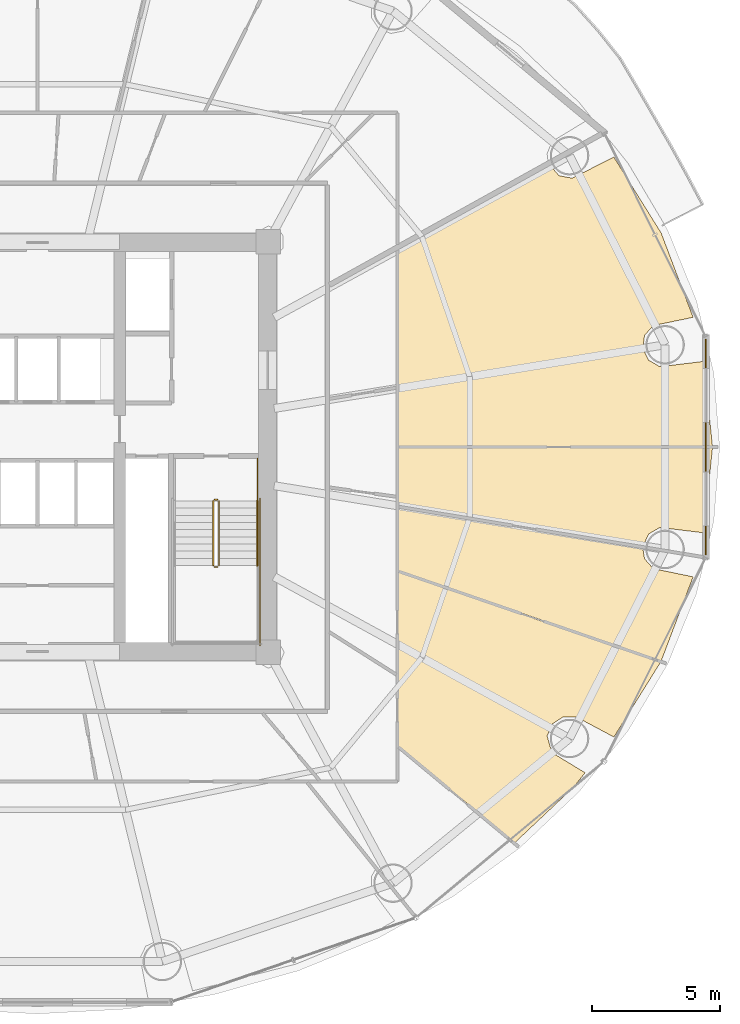
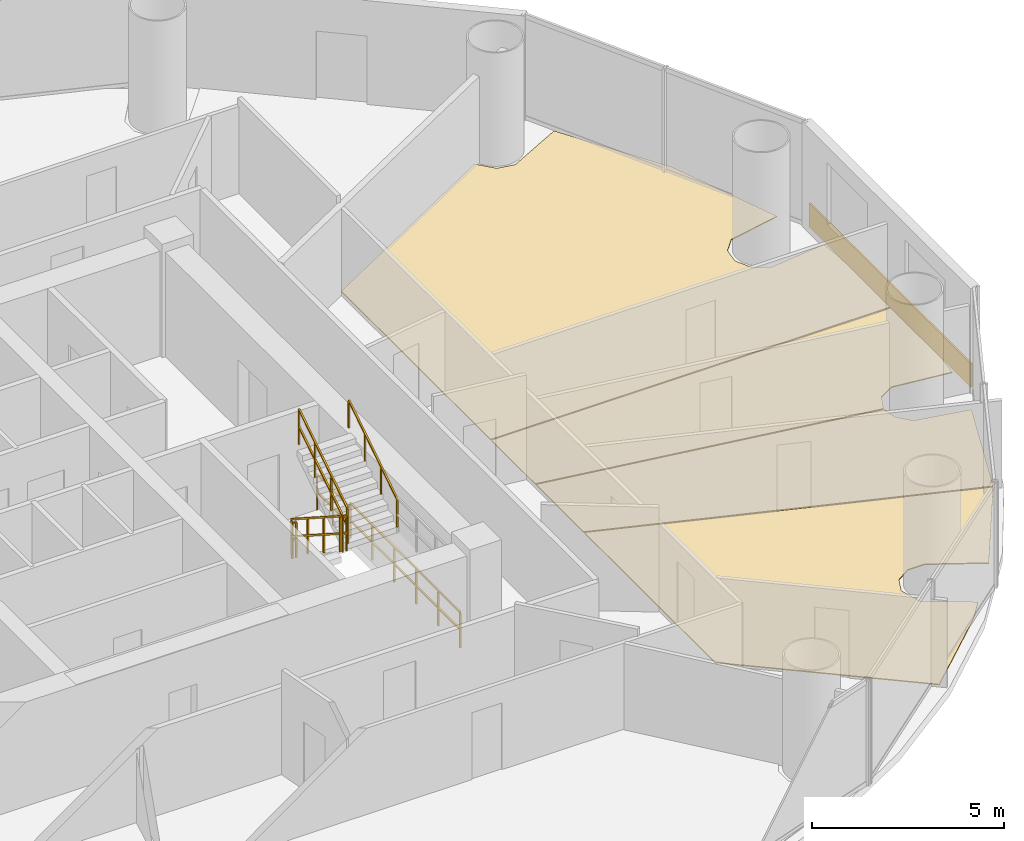
# One storey, part 28 of 29: 7 railings, 5 coverings.
"""IFC4 building model written with IfcOpenShell, lengths in metres."""

from ifc_helpers import new_model, si_unit, direction, frame, origin, origin_2d, place, context, subcontext, project, spatial, polyline, rectangle, outline, extrude, source, transform, mapped, material, layer, layer_set, type_object, element, save


model = new_model("IFC4")

# Units and contexts
model_context = context("Model", 3, precision=1e-05, world=origin(), true_north=direction((-0.2419218956, 0.970295726276)))
body_context = subcontext(model_context, "Body", "Model", "MODEL_VIEW")
ifc_project = project(units=[si_unit("LENGTHUNIT", "METRE"), si_unit("AREAUNIT", "SQUARE_METRE"), si_unit("VOLUMEUNIT", "CUBIC_METRE"), si_unit("PLANEANGLEUNIT", "RADIAN"), si_unit("MASSUNIT", "GRAM", prefix="KILO")], contexts=[model_context])

# Site, building, storey
site_placement = place(None, origin())
site = spatial("IfcSite", under=ifc_project, at=site_placement, CompositionType="ELEMENT")
building_placement = place(site_placement, origin())
building = spatial("IfcBuilding", under=site, at=building_placement, Name="Cobrevalo Terracotta Tower", CompositionType="ELEMENT")
storey_placement = place(building_placement, frame((0.0, 0.0, 94.199951171875)))
storey = spatial("IfcBuildingStorey", under=building, at=storey_placement, Name="L24", CompositionType="ELEMENT", Elevation=94.199951171875)

# Coverings
ifc_material_1 = material(Name="Engineered Brazilian hardwood flooring", Category="wood")
ifc_layer_1 = layer(ifc_material_1, 0.028076171875)
ifc_layer_set_1 = layer_set([ifc_layer_1], Name="Engineered Brazilian hardwood flooring")
covering_type_1 = type_object("IfcCoveringType", Name="Engineered Hardwood Suite Flooring 28", PredefinedType="FLOORING", material=ifc_layer_set_1)
covering_1_placement = place(storey_placement, origin())
element("IfcCovering", 1, at=covering_1_placement, inside=storey, type_object=covering_type_1, Name="Flat L24C Penthouse Family Lounge floor finish", PredefinedType="FLOORING", context=body_context, shape_type="SweptSolid", body=[
    extrude(outline(polyline([(60.474853515625, 15.49462890625), (59.00927734375, 16.278076171875), (58.498291015625, 16.283447265625), (58.070556640625, 16.00390625), (57.8701171875, 15.53369140625), (58.05908203125, 14.88720703125), (59.35302734375, 14.102294921875), (58.88232421875, 13.518310546875), (56.6044921875, 11.368896484375), (52.054931640625, 15.148681640625), (52.054931640625, 21.94189453125), (62.296875, 18.417236328125), (60.474853515625, 15.49462890625)])), origin(), (0.0, 0.0, 1.0), 0.030029296875),
])
covering_2_placement = place(storey_placement, origin())
element("IfcCovering", 2, at=covering_2_placement, inside=storey, type_object=covering_type_1, Name="Flat L24C Principal Guest Bedroom floor finish", PredefinedType="FLOORING", context=body_context, shape_type="SweptSolid", body=[
    extrude(outline(polyline([(52.054931640625, 21.984375), (52.054931640625, 24.45703125), (61.597412109375, 22.8798828125), (61.669677734375, 22.445556640625), (62.00732421875, 22.06201171875), (63.564208984375, 21.740478515625), (62.3154296875, 18.453369140625), (52.054931640625, 21.984375)])), origin(), (0.0, 0.0, 1.0), 0.030029296875),
])
covering_3_placement = place(storey_placement, origin())
element("IfcCovering", 3, at=covering_3_placement, inside=storey, type_object=covering_type_1, Name="Flat L24C Principal Guest Bedroom floor finish", PredefinedType="FLOORING", context=body_context, shape_type="SweptSolid", body=[
    extrude(outline(polyline([(64.318359375, 26.780029296875), (63.975830078125, 23.45654296875), (62.26904296875, 23.6669921875), (61.8271484375, 23.41064453125), (61.60302734375, 22.919677734375), (52.054931640625, 24.49755859375), (52.054931640625, 26.780029296875), (64.318359375, 26.780029296875)])), origin(), (0.0, 0.0, 1.0), 0.030029296875),
])
covering_4_placement = place(storey_placement, origin())
element("IfcCovering", 4, at=covering_4_placement, inside=storey, type_object=covering_type_1, Name="Flat L24C Penthouse Family Lounge floor finish", PredefinedType="FLOORING", context=body_context, shape_type="SweptSolid", body=[
    extrude(outline(polyline([(57.9296875, 37.8408203125), (58.338134765625, 37.381103515625), (58.84033203125, 37.286376953125), (60.474853515625, 38.10546875), (62.317138671875, 35.14892578125), (63.564208984375, 31.859619140625), (62.00732421875, 31.537841796875), (61.669677734375, 31.154541015625), (61.60205078125, 30.64794921875), (61.8271484375, 30.189208984375), (62.26904296875, 29.932861328125), (63.975830078125, 30.143310546875), (64.318359375, 26.820068359375), (52.054931640625, 26.820068359375), (52.054931640625, 34.57958984375), (57.9296875, 37.8408203125)])), origin(), (0.0, 0.0, 1.0), 0.030029296875),
])

# Railings
ifc_material_2 = material(Name="Brushed stainless steel", Category="steel")
railing_type_1 = type_object("IfcRailingType", Name="Stainless Steel Stair Handrail 900", PredefinedType="HANDRAIL", material=ifc_material_2)
railing_1_placement = place(storey_placement, frame((46.574951171875, 22.179931640625, 1.97998046875)))
element("IfcRailing", 5, at=railing_1_placement, inside=storey, type_object=railing_type_1, Name="L24 ST-2 stair handrail 2", PredefinedType="HANDRAIL", context=body_context, shape_type="SweptSolid", body=[
    extrude(rectangle(XDim=0.048095703125, YDim=0.048095703125, at=origin_2d()), frame((0.0, 0.0, 0.8759765625), z_axis=(0.0, 0.841162588446, 0.540782303519), x_axis=(-1.0, 0.0, 0.0)), (0.0, 0.0, 1.0), 2.995849609375),
    extrude(rectangle(XDim=0.0419921875, YDim=0.0419921875, at=origin_2d()), origin(), (0.0, 0.0, 1.0), 0.851806640625),
    extrude(rectangle(XDim=0.0419921875, YDim=0.0419921875, at=origin_2d()), frame((0.0, 0.840087890625, 0.5400390625)), (0.0, 0.0, 1.0), 0.851806640625),
    extrude(rectangle(XDim=0.0419921875, YDim=0.0419921875, at=origin_2d()), frame((0.0, 1.679931640625, 1.080078125)), (0.0, 0.0, 1.0), 0.851806640625),
    extrude(rectangle(XDim=0.0419921875, YDim=0.0419921875, at=origin_2d()), frame((0.0, 2.52001953125, 1.6201171875)), (0.0, 0.0, 1.0), 0.851806640625),
])
ifc_material_3 = material(Name="Painted galvanized steel", Category="steel")
railing_type_2 = type_object("IfcRailingType", Name="Stair Well Guard Balustrade 1150", PredefinedType="GUARDRAIL", material=ifc_material_3)
railing_2_placement = place(storey_placement, frame((44.85498046875, 24.699951171875, 0.179931640625)))
element("IfcRailing", 6, at=railing_2_placement, inside=storey, type_object=railing_type_2, Name="L24 ST-2 stair guard 1", PredefinedType="GUARDRAIL", context=body_context, shape_type="SweptSolid", body=[
    extrude(rectangle(XDim=0.048095703125, YDim=0.048095703125, at=origin_2d()), frame((0.0, 0.0, 1.1259765625), z_axis=(0.0, -0.841162588446, 0.540782303519), x_axis=(1.0, 0.0, 0.0)), (0.0, 0.0, 1.0), 2.995849609375),
    extrude(rectangle(XDim=0.048095703125, YDim=0.048095703125, at=origin_2d()), frame((0.0, 0.0, 0.574951171875), z_axis=(0.0, -0.841162588446, 0.540782303519), x_axis=(1.0, 0.0, 0.0)), (0.0, 0.0, 1.0), 2.995849609375),
    extrude(rectangle(XDim=0.0419921875, YDim=0.0419921875, at=origin_2d()), origin(), (0.0, 0.0, 1.0), 1.101806640625),
    extrude(rectangle(XDim=0.0419921875, YDim=0.0419921875, at=origin_2d()), frame((0.0, -0.840087890625, 0.5400390625)), (0.0, 0.0, 1.0), 1.101806640625),
    extrude(rectangle(XDim=0.0419921875, YDim=0.0419921875, at=origin_2d()), frame((0.0, -1.679931640625, 1.080078125)), (0.0, 0.0, 1.0), 1.101806640625),
    extrude(rectangle(XDim=0.0419921875, YDim=0.0419921875, at=origin_2d()), frame((0.0, -2.52001953125, 1.6201171875)), (0.0, 0.0, 1.0), 1.101806640625),
])
railing_3_placement = place(storey_placement, frame((44.905029296875, 22.1298828125, 1.800048828125)))
element("IfcRailing", 7, at=railing_3_placement, inside=storey, type_object=railing_type_2, Name="L24 ST-2 stair guard 2", PredefinedType="GUARDRAIL", context=body_context, shape_type="SweptSolid", body=[
    extrude(rectangle(XDim=0.048095703125, YDim=0.048095703125, at=origin_2d()), frame((0.0, 0.0, 1.1259765625), z_axis=(1.0, 0.0, 0.0), x_axis=(0.0, 1.0, 0.0)), (0.0, 0.0, 1.0), 0.119873046875),
    extrude(rectangle(XDim=0.048095703125, YDim=0.048095703125, at=origin_2d()), frame((0.0, 0.0, 0.574951171875), z_axis=(1.0, 0.0, 0.0), x_axis=(0.0, 1.0, 0.0)), (0.0, 0.0, 1.0), 0.119873046875),
    extrude(rectangle(XDim=0.0419921875, YDim=0.0419921875, at=origin_2d()), origin(), (0.0, 0.0, 1.0), 1.101806640625),
    extrude(rectangle(XDim=0.0419921875, YDim=0.0419921875, at=origin_2d()), frame((0.119873046875, 0.0, 0.0)), (0.0, 0.0, 1.0), 1.101806640625),
])
railing_4_placement = place(storey_placement, frame((45.074951171875, 22.179931640625, 1.97998046875)))
element("IfcRailing", 8, at=railing_4_placement, inside=storey, type_object=railing_type_2, Name="L24 ST-2 stair guard 6", PredefinedType="GUARDRAIL", context=body_context, shape_type="SweptSolid", body=[
    extrude(rectangle(XDim=0.048095703125, YDim=0.048095703125, at=origin_2d()), frame((0.0, 0.0, 1.1259765625), z_axis=(0.0, 0.841162588446, 0.540782303519), x_axis=(-1.0, 0.0, 0.0)), (0.0, 0.0, 1.0), 2.995849609375),
    extrude(rectangle(XDim=0.048095703125, YDim=0.048095703125, at=origin_2d()), frame((0.0, 0.0, 0.574951171875), z_axis=(0.0, 0.841162588446, 0.540782303519), x_axis=(-1.0, 0.0, 0.0)), (0.0, 0.0, 1.0), 2.995849609375),
    extrude(rectangle(XDim=0.0419921875, YDim=0.0419921875, at=origin_2d()), origin(), (0.0, 0.0, 1.0), 1.101806640625),
    extrude(rectangle(XDim=0.0419921875, YDim=0.0419921875, at=origin_2d()), frame((0.0, 0.840087890625, 0.5400390625)), (0.0, 0.0, 1.0), 1.101806640625),
    extrude(rectangle(XDim=0.0419921875, YDim=0.0419921875, at=origin_2d()), frame((0.0, 1.679931640625, 1.080078125)), (0.0, 0.0, 1.0), 1.101806640625),
    extrude(rectangle(XDim=0.0419921875, YDim=0.0419921875, at=origin_2d()), frame((0.0, 2.52001953125, 1.6201171875)), (0.0, 0.0, 1.0), 1.101806640625),
])
railing_5_placement = place(storey_placement, frame((44.905029296875, 24.75, 0.0)))
element("IfcRailing", 9, at=railing_5_placement, inside=storey, type_object=railing_type_2, Name="L24 ST-2 stair guard 7", PredefinedType="GUARDRAIL", context=body_context, shape_type="SweptSolid", body=[
    extrude(rectangle(XDim=0.048095703125, YDim=0.048095703125, at=origin_2d()), frame((0.0, 0.0, 1.1259765625), z_axis=(1.0, 0.0, 0.0), x_axis=(0.0, 1.0, 0.0)), (0.0, 0.0, 1.0), 0.119873046875),
    extrude(rectangle(XDim=0.048095703125, YDim=0.048095703125, at=origin_2d()), frame((0.0, 0.0, 0.574951171875), z_axis=(1.0, 0.0, 0.0), x_axis=(0.0, 1.0, 0.0)), (0.0, 0.0, 1.0), 0.119873046875),
    extrude(rectangle(XDim=0.0419921875, YDim=0.0419921875, at=origin_2d()), origin(), (0.0, 0.0, 1.0), 1.101806640625),
    extrude(rectangle(XDim=0.0419921875, YDim=0.0419921875, at=origin_2d()), frame((0.119873046875, 0.0, 0.0)), (0.0, 0.0, 1.0), 1.101806640625),
])
railing_6_placement = place(storey_placement, frame((46.574951171875, 26.35009765625, 0.0)))
element("IfcRailing", 10, at=railing_6_placement, inside=storey, type_object=railing_type_2, Name="L24 ST-2 stair guard 9", PredefinedType="GUARDRAIL", context=body_context, shape_type="SweptSolid", body=[
    extrude(rectangle(XDim=0.048095703125, YDim=0.048095703125, at=origin_2d()), frame((0.0, 0.0, 1.1259765625), z_axis=(0.0, -1.0, 0.0), x_axis=(1.0, 0.0, 0.0)), (0.0, 0.0, 1.0), 1.650146484375),
    extrude(rectangle(XDim=0.048095703125, YDim=0.048095703125, at=origin_2d()), frame((0.0, 0.0, 0.574951171875), z_axis=(0.0, -1.0, 0.0), x_axis=(1.0, 0.0, 0.0)), (0.0, 0.0, 1.0), 1.650146484375),
    extrude(rectangle(XDim=0.0419921875, YDim=0.0419921875, at=origin_2d()), origin(), (0.0, 0.0, 1.0), 1.101806640625),
    extrude(rectangle(XDim=0.0419921875, YDim=0.0419921875, at=origin_2d()), frame((0.0, -0.8251953125, 0.0)), (0.0, 0.0, 1.0), 1.101806640625),
    extrude(rectangle(XDim=0.0419921875, YDim=0.0419921875, at=origin_2d()), frame((0.0, -1.650146484375, 0.0)), (0.0, 0.0, 1.0), 1.101806640625),
])
railing_7_placement = place(storey_placement, frame((46.675048828125, 24.800048828125, 0.0)))
element("IfcRailing", 11, at=railing_7_placement, inside=storey, type_object=railing_type_2, Name="L24 ST-2 stair guard 11", PredefinedType="GUARDRAIL", context=body_context, shape_type="SweptSolid", body=[
    extrude(rectangle(XDim=0.048095703125, YDim=0.048095703125, at=origin_2d()), frame((0.0, 0.0, 1.1259765625), z_axis=(0.0, -1.0, 0.0), x_axis=(1.0, 0.0, 0.0)), (0.0, 0.0, 1.0), 5.72509765625),
    extrude(rectangle(XDim=0.048095703125, YDim=0.048095703125, at=origin_2d()), frame((0.0, 0.0, 0.574951171875), z_axis=(0.0, -1.0, 0.0), x_axis=(1.0, 0.0, 0.0)), (0.0, 0.0, 1.0), 5.72509765625),
    extrude(rectangle(XDim=0.0419921875, YDim=0.0419921875, at=origin_2d()), origin(), (0.0, 0.0, 1.0), 1.101806640625),
    extrude(rectangle(XDim=0.0419921875, YDim=0.0419921875, at=origin_2d()), frame((0.0, -1.14501953125, 0.0)), (0.0, 0.0, 1.0), 1.101806640625),
    extrude(rectangle(XDim=0.0419921875, YDim=0.0419921875, at=origin_2d()), frame((0.0, -2.2900390625, 0.0)), (0.0, 0.0, 1.0), 1.101806640625),
    extrude(rectangle(XDim=0.0419921875, YDim=0.0419921875, at=origin_2d()), frame((0.0, -3.43505859375, 0.0)), (0.0, 0.0, 1.0), 1.101806640625),
    extrude(rectangle(XDim=0.0419921875, YDim=0.0419921875, at=origin_2d()), frame((0.0, -4.580078125, 0.0)), (0.0, 0.0, 1.0), 1.101806640625),
    extrude(rectangle(XDim=0.0419921875, YDim=0.0419921875, at=origin_2d()), frame((0.0, -5.72509765625, 0.0)), (0.0, 0.0, 1.0), 1.101806640625),
])

# Covering
ifc_material_4 = material(Name="Glazed terracotta facade cladding tile", Category="masonry")
ifc_layer_2 = layer(ifc_material_4, 0.044921875)
ifc_layer_set_2 = layer_set([ifc_layer_2], Name="Glazed terracotta facade cladding tile")
covering_type_2 = type_object("IfcCoveringType", Name="Architectural terracotta rainscreen spandrel cladding 45 mm", PredefinedType="CLADDING", material=ifc_layer_set_2)
shared_shape = source(origin(), body_context, "Body", "SweptSolid", [
    extrude(rectangle(XDim=8.411376953125, YDim=0.044921875, at=origin_2d()), origin(), (0.0, 0.0, 1.0), 0.760009765625),
])
covering_5_placement = place(storey_placement, frame((64.0595703125, 26.800048828125, 0.0400390625), z_axis=(0.0, 0.0, 1.0), x_axis=(0.0, 1.0, 0.0)))
element("IfcCovering", 12, at=covering_5_placement, inside=storey, type_object=covering_type_2, Name="L24 terracotta spandrel cladding S16", PredefinedType="CLADDING", context=body_context, shape_type="MappedRepresentation", body=[
    mapped(shared_shape, transform((0.0, 0.0, 0.0), scale=1.0)),
])

save(model, "model.ifc")
